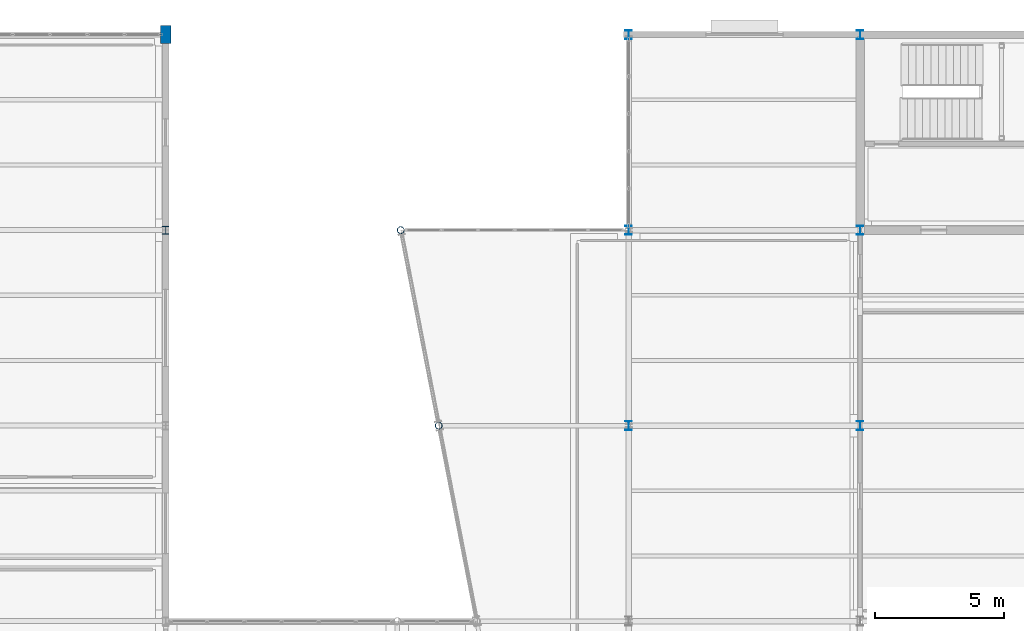
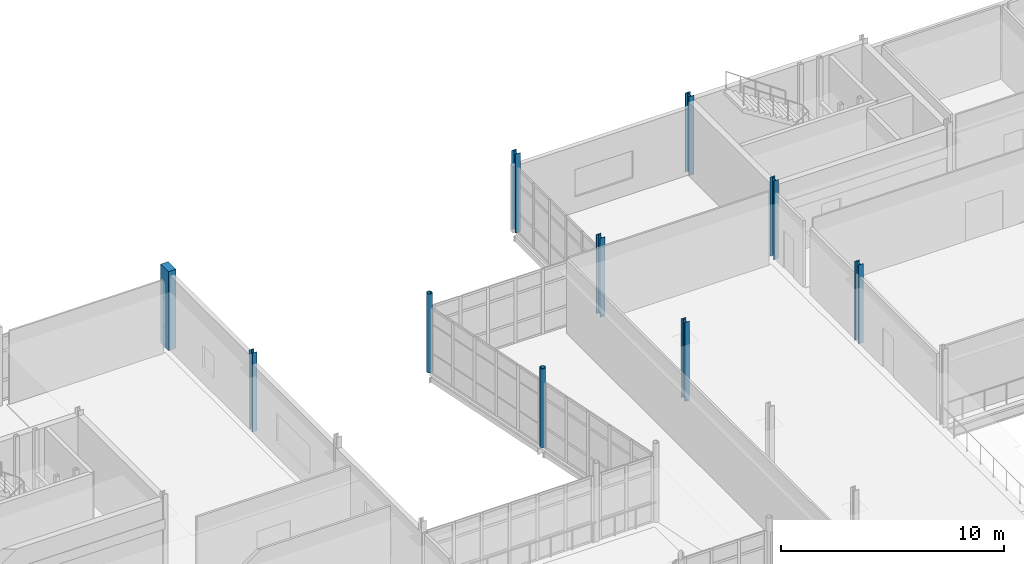
# One storey, part 21 of 174: 10 columns.
"""IFC4 building model written with IfcOpenShell, lengths in metres."""

from ifc_helpers import new_model, si_unit, direction, frame, origin, origin_2d, place, context, subcontext, project, spatial, rectangle, hollow_circle, i_section, extrude, material, material_profile, profile_set, type_object, element, save


model = new_model("IFC4")

# Units and contexts
model_context = context("Model", 3, precision=1e-05, world=origin(), true_north=direction((0.0, 1.0)))
body_context = subcontext(model_context, "Body", "Model", "MODEL_VIEW")
ifc_project = project(units=[si_unit("LENGTHUNIT", "METRE"), si_unit("AREAUNIT", "SQUARE_METRE"), si_unit("VOLUMEUNIT", "CUBIC_METRE"), si_unit("PLANEANGLEUNIT", "RADIAN"), si_unit("MASSUNIT", "GRAM", prefix="KILO")], contexts=[model_context])

# Site, building, storey
site_placement = place(None, origin())
site = spatial("IfcSite", under=ifc_project, at=site_placement, CompositionType="ELEMENT")
building_placement = place(site_placement, origin())
building = spatial("IfcBuilding", under=site, at=building_placement, Name="Caisbarro Railhouse Central Library", CompositionType="ELEMENT")
storey_placement = place(building_placement, frame((0.0, 0.0, 5.0400390625)))
storey = spatial("IfcBuildingStorey", under=building, at=storey_placement, Name="L01", CompositionType="ELEMENT", Elevation=5.0400390625)

# Columns
ifc_material_1 = material(Name="Steel ASTM A572 Grade 50", Category="steel")
ifc_material_profile_1 = material_profile(ifc_material_1, i_section(OverallWidth=0.25390625, OverallDepth=0.35302734375, WebThickness=0.009521484375, FlangeThickness=0.016357421875, FilletRadius=0.014892578125, at=origin_2d()), Name="W360X91.0")
ifc_profile_set_1 = profile_set([ifc_material_profile_1], Name="Steel ASTM A572 Grade 50")
column_type_1 = type_object("IfcColumnType", Name="COL-C05", PredefinedType="COLUMN", material=ifc_profile_set_1)
for number, where, z_axis, x_axis, name in (
    (1, (117.0, 98.800048828125, 0.0), (0.0, 0.0, 1.0), (1.0, 0.0, 0.0), "C05 column L01 (117.0,98.8)"),
    (2, (117.0, 106.39990234375, 0.0), (0.0, 0.0, 1.0), (1.0, 0.0, 0.0), "C05 column L01 (117.0,106.4)"),
    (3, (117.0, 114.0, 0.0), (0.0, 0.0, 1.0), (1.0, 0.0, 0.0), "C05 column L01 (117.0,114.0)"),
    (4, (126.0, 98.800048828125, 0.0), (0.0, 0.0, 1.0), (1.0, 0.0, 0.0), "C05 column L01 (126.0,98.8)"),
    (5, (126.0, 106.39990234375, 0.0), (0.0, 0.0, 1.0), (1.0, 0.0, 0.0), "C05 column L01 (126.0,106.4)"),
    (6, (126.0, 114.0, 0.0), (0.0, 0.0, 1.0), (1.0, 0.0, 0.0), "C05 column L01 (126.0,114.0)"),
):
    element("IfcColumn", number, at=place(storey_placement, frame(where, z_axis=z_axis, x_axis=x_axis)), inside=storey, type_object=column_type_1, Name=name, PredefinedType="COLUMN", context=body_context, shape_type="SweptSolid", body=[
        extrude(i_section(OverallWidth=0.25390625, OverallDepth=0.35302734375, WebThickness=0.009521484375, FlangeThickness=0.016357421875, FilletRadius=0.014892578125, at=origin_2d()), origin(), (0.0, 0.0, 1.0), 4.320068359375),
    ])
ifc_material_profile_2 = material_profile(ifc_material_1, i_section(OverallWidth=0.25390625, OverallDepth=0.305908203125, WebThickness=0.0087890625, FlangeThickness=0.0146484375, FilletRadius=0.014892578125, at=origin_2d()), Name="W310X79.0")
ifc_profile_set_2 = profile_set([ifc_material_profile_2], Name="Steel ASTM A572 Grade 50")
column_type_2 = type_object("IfcColumnType", Name="COL-C07", PredefinedType="COLUMN", material=ifc_profile_set_2)
column_1_placement = place(storey_placement, frame((99.0, 106.39990234375, 0.0), z_axis=(0.0, 0.0, 1.0), x_axis=(1.0, 0.0, 0.0)))
element("IfcColumn", 7, at=column_1_placement, inside=storey, type_object=column_type_2, Name="C07 column L01 (99.0,106.4)", PredefinedType="COLUMN", context=body_context, shape_type="SweptSolid", body=[
    extrude(i_section(OverallWidth=0.25390625, OverallDepth=0.305908203125, WebThickness=0.0087890625, FlangeThickness=0.0146484375, FilletRadius=0.014892578125, at=origin_2d()), origin(), (0.0, 0.0, 1.0), 4.320068359375),
])
ifc_material_profile_3 = material_profile(ifc_material_1, hollow_circle(Radius=0.136474609375, WallThickness=0.012451171875, at=origin_2d()), Name="CHS273.0X12.5")
ifc_profile_set_3 = profile_set([ifc_material_profile_3], Name="Steel ASTM A572 Grade 50")
column_type_3 = type_object("IfcColumnType", Name="COL-C12", PredefinedType="COLUMN", material=ifc_profile_set_3)
for number, where, z_axis, x_axis, name in (
    (8, (108.135986328125, 106.39990234375, 0.0), (0.0, 0.0, 1.0), (0.981627183448, 0.190808995377, 0.0), "C12 column L01 (108.1,106.4)"),
    (9, (109.614013671875, 98.800048828125, 0.0), (0.0, 0.0, 1.0), (0.981627183448, 0.190808995377, 0.0), "C12 column L01 (109.6,98.8)"),
):
    element("IfcColumn", number, at=place(storey_placement, frame(where, z_axis=z_axis, x_axis=x_axis)), inside=storey, type_object=column_type_3, Name=name, PredefinedType="COLUMN", context=body_context, shape_type="SweptSolid", body=[
        extrude(hollow_circle(Radius=0.136474609375, WallThickness=0.012451171875, at=origin_2d()), origin(), (0.0, 0.0, 1.0), 4.320068359375),
    ])
ifc_material_2 = material(Name="Concrete C40", Category="concrete")
ifc_material_profile_4 = material_profile(ifc_material_2, rectangle(XDim=0.39990234375, YDim=0.699951171875, at=origin_2d()), Name="RC-PIL-400X700")
ifc_profile_set_4 = profile_set([ifc_material_profile_4], Name="Concrete C40")
column_type_4 = type_object("IfcColumnType", Name="PIL-P02", PredefinedType="PILASTER", material=ifc_profile_set_4)
column_2_placement = place(storey_placement, frame((99.0, 114.0, 0.0), z_axis=(0.0, 0.0, 1.0), x_axis=(1.0, 0.0, 0.0)))
element("IfcColumn", 10, at=column_2_placement, inside=storey, type_object=column_type_4, Name="PL02 column L01 (99.0,114.0)", PredefinedType="PILASTER", context=body_context, shape_type="SweptSolid", body=[
    extrude(rectangle(XDim=0.39990234375, YDim=0.699951171875, at=origin_2d()), origin(), (0.0, 0.0, 1.0), 4.320068359375),
])

save(model, "model.ifc")
